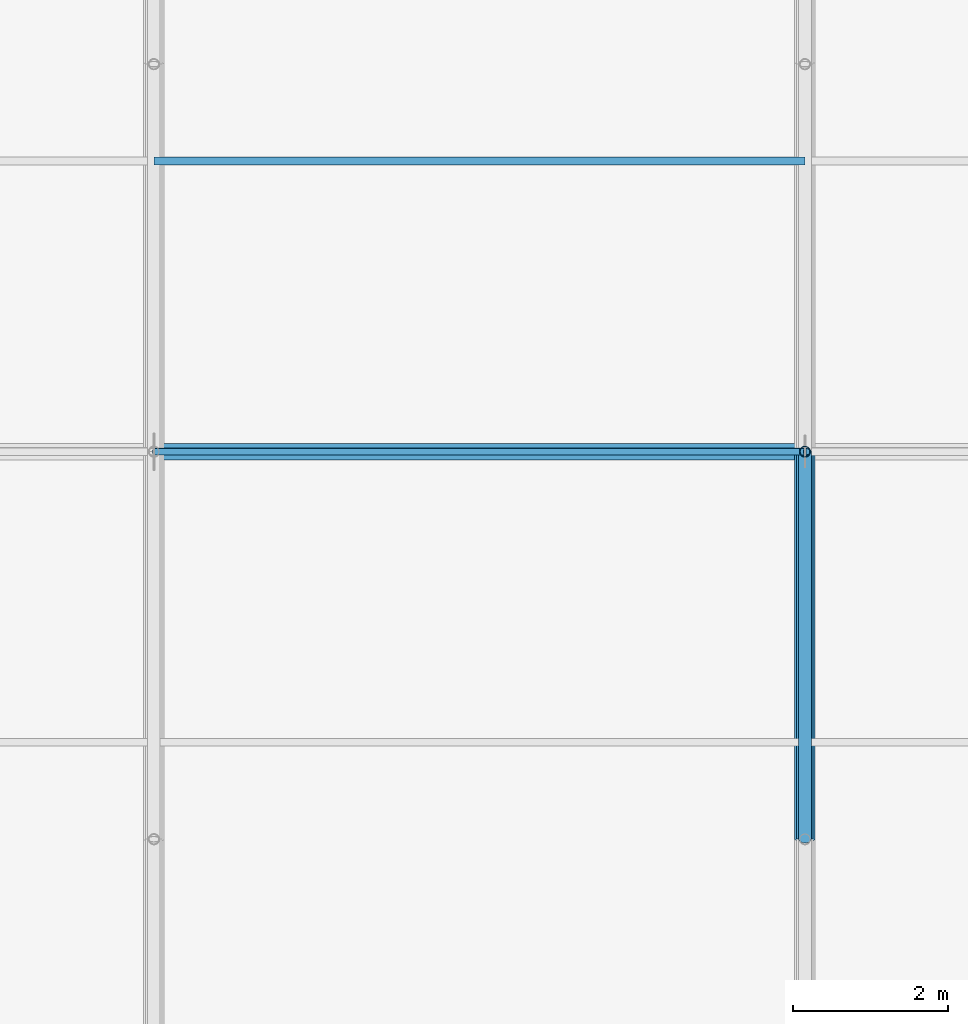
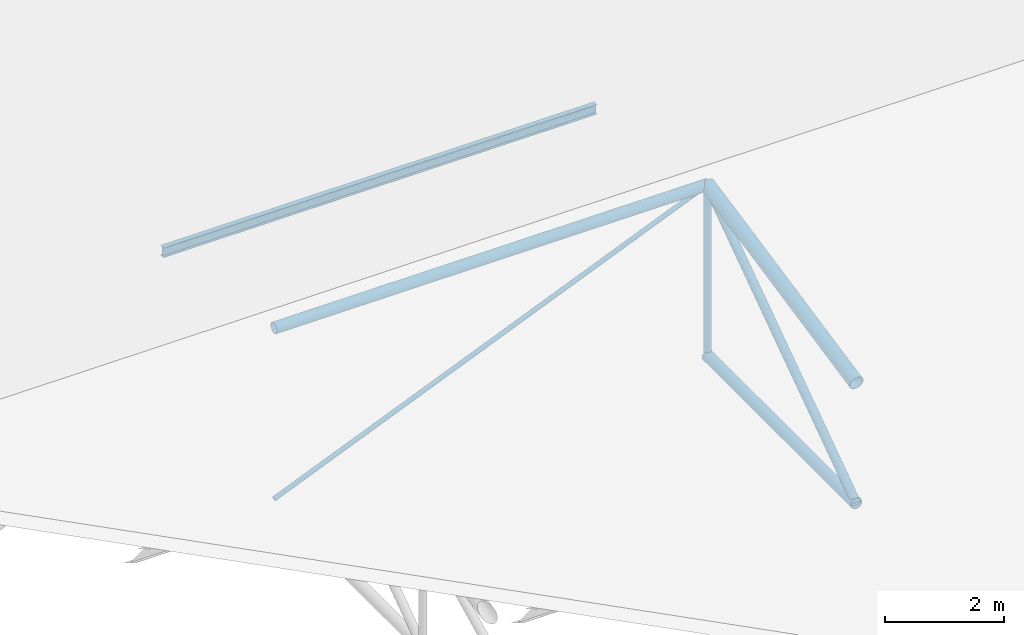
# One storey, part 59 of 194: 6 members, 1 beam.
"""IFC4 building model written with IfcOpenShell, lengths in metres."""

from ifc_helpers import new_model, si_unit, direction, frame, origin, origin_2d, place, context, subcontext, project, spatial, hollow_circle, i_section, extrude, material, material_profile, profile_set, type_object, element, save


model = new_model("IFC4")

# Units and contexts
model_context = context("Model", 3, precision=1e-05, world=origin(), true_north=direction((0.0, 1.0)))
body_context = subcontext(model_context, "Body", "Model", "MODEL_VIEW")
ifc_project = project(units=[si_unit("LENGTHUNIT", "METRE"), si_unit("AREAUNIT", "SQUARE_METRE"), si_unit("VOLUMEUNIT", "CUBIC_METRE"), si_unit("PLANEANGLEUNIT", "RADIAN"), si_unit("MASSUNIT", "GRAM", prefix="KILO")], contexts=[model_context])

# Site, building, storey
site_placement = place(None, origin())
site = spatial("IfcSite", under=ifc_project, at=site_placement, CompositionType="ELEMENT")
building_placement = place(site_placement, origin())
building = spatial("IfcBuilding", under=site, at=building_placement, Name="Kazenagashi Tramway Depot", CompositionType="ELEMENT")
storey_placement = place(building_placement, frame((0.0, 0.0, 23.7)))
storey = spatial("IfcBuildingStorey", under=building, at=storey_placement, Name="ROOF", CompositionType="ELEMENT", Elevation=23.7)

# Beam
ifc_material_1 = material(Name="Steel SN400B", Category="steel")
ifc_material_profile_1 = material_profile(ifc_material_1, i_section(OverallWidth=0.1, OverallDepth=0.2, WebThickness=0.0055, FlangeThickness=0.008, at=origin_2d()), Name="H-200x100x5.5x8")
ifc_profile_set_1 = profile_set([ifc_material_profile_1], Name="Steel SN400B")
beam_type = type_object("IfcBeamType", Name="PR-01", PredefinedType="USERDEFINED", material=ifc_profile_set_1)
beam_placement = place(storey_placement, frame((112.0, 118.75, -11.305), z_axis=(1.0, 0.0, 0.0), x_axis=(0.0, 1.0, 0.0)))
element("IfcBeam", 1, at=beam_placement, inside=storey, type_object=beam_type, Name="Beam PR-01 BM-2188", ObjectType="PURLIN", PredefinedType="USERDEFINED", context=body_context, shape_type="SweptSolid", body=[
    extrude(i_section(OverallWidth=0.1, OverallDepth=0.2, WebThickness=0.0055, FlangeThickness=0.008, at=origin_2d()), origin(), (0.0, 0.0, 1.0), 8.4),
])

# Members
ifc_material_2 = material(Name="Steel STK490", Category="steel")
ifc_material_profile_2 = material_profile(ifc_material_2, hollow_circle(Radius=0.1337, WallThickness=0.0093, at=origin_2d()), Name="CHS-267.4x9.3")
ifc_profile_set_2 = profile_set([ifc_material_profile_2], Name="Steel STK490")
member_type_1 = type_object("IfcMemberType", Name="TC-01", PredefinedType="CHORD", material=ifc_profile_set_2)
member_1_placement = place(storey_placement, frame((120.4, 110.0, -11.633), z_axis=(0.0, 0.979317999984, 0.202327098797), x_axis=(-1.0, 0.0, 0.0)))
element("IfcMember", 2, at=member_1_placement, inside=storey, type_object=member_type_1, Name="Tubular Space Frame TC-01 MEM-0587", PredefinedType="CHORD", context=body_context, shape_type="SweptSolid", body=[
    extrude(hollow_circle(Radius=0.1337, WallThickness=0.0093, at=origin_2d()), origin(), (0.0, 0.0, 1.0), 5.105594),
])
ifc_material_profile_3 = material_profile(ifc_material_2, hollow_circle(Radius=0.10815, WallThickness=0.0082, at=origin_2d()), Name="CHS-216.3x8.2")
ifc_profile_set_3 = profile_set([ifc_material_profile_3], Name="Steel STK490")
member_type_2 = type_object("IfcMemberType", Name="TC-02", PredefinedType="CHORD", material=ifc_profile_set_3)
member_2_placement = place(storey_placement, frame((112.0, 115.0, -10.6), z_axis=(1.0, 0.0, 0.0), x_axis=(0.0, 1.0, 0.0)))
element("IfcMember", 3, at=member_2_placement, inside=storey, type_object=member_type_2, Name="Tubular Space Frame TC-02 MEM-0546", PredefinedType="CHORD", context=body_context, shape_type="SweptSolid", body=[
    extrude(hollow_circle(Radius=0.10815, WallThickness=0.0082, at=origin_2d()), origin(), (0.0, 0.0, 1.0), 8.4),
])
member_3_placement = place(storey_placement, frame((120.4, 110.0, -14.1), z_axis=(0.0, 1.0, 0.0), x_axis=(-1.0, 0.0, 0.0)))
element("IfcMember", 4, at=member_3_placement, inside=storey, type_object=member_type_2, Name="Tubular Space Frame TC-02 MEM-0588", PredefinedType="CHORD", context=body_context, shape_type="SweptSolid", body=[
    extrude(hollow_circle(Radius=0.10815, WallThickness=0.0082, at=origin_2d()), origin(), (0.0, 0.0, 1.0), 5.0),
])
ifc_material_profile_4 = material_profile(ifc_material_2, hollow_circle(Radius=0.0826, WallThickness=0.0071, at=origin_2d()), Name="CHS-165.2x7.1")
ifc_profile_set_4 = profile_set([ifc_material_profile_4], Name="Steel STK490")
member_type_3 = type_object("IfcMemberType", Name="TS-01", PredefinedType="STRUT", material=ifc_profile_set_4)
member_4_placement = place(storey_placement, frame((120.4, 110.0, -14.1), z_axis=(0.0, 0.819231920519, 0.573462344363), x_axis=(-1.0, 0.0, 0.0)))
element("IfcMember", 5, at=member_4_placement, inside=storey, type_object=member_type_3, Name="Tubular Space Frame TS-01 MEM-0589", PredefinedType="STRUT", context=body_context, shape_type="SweptSolid", body=[
    extrude(hollow_circle(Radius=0.0826, WallThickness=0.0071, at=origin_2d()), origin(), (0.0, 0.0, 1.0), 6.103278),
])
ifc_material_profile_5 = material_profile(ifc_material_2, hollow_circle(Radius=0.0699, WallThickness=0.0066, at=origin_2d()), Name="CHS-139.8x6.6")
ifc_profile_set_5 = profile_set([ifc_material_profile_5], Name="Steel STK490")
member_type_4 = type_object("IfcMemberType", Name="TS-02", PredefinedType="STRUT", material=ifc_profile_set_5)
member_5_placement = place(storey_placement, frame((120.4, 115.0, -14.1), z_axis=(0.0, 0.0, 1.0), x_axis=(1.0, 0.0, 0.0)))
element("IfcMember", 6, at=member_5_placement, inside=storey, type_object=member_type_4, Name="Tubular Space Frame TS-02 MEM-0601", PredefinedType="STRUT", context=body_context, shape_type="SweptSolid", body=[
    extrude(hollow_circle(Radius=0.0699, WallThickness=0.0066, at=origin_2d()), origin(), (0.0, 0.0, 1.0), 3.5),
])
ifc_material_3 = material(Name="Steel STK400", Category="steel")
ifc_material_profile_6 = material_profile(ifc_material_3, hollow_circle(Radius=0.04455, WallThickness=0.0042, at=origin_2d()), Name="CHS-89.1x4.2")
ifc_profile_set_6 = profile_set([ifc_material_profile_6], Name="Steel STK400")
member_type_5 = type_object("IfcMemberType", Name="TS-04", PredefinedType="STRUT", material=ifc_profile_set_6)
member_6_placement = place(storey_placement, frame((112.0, 115.0, -14.1), z_axis=(0.923076923077, 0.0, 0.384615384615), x_axis=(0.0, 1.0, 0.0)))
element("IfcMember", 7, at=member_6_placement, inside=storey, type_object=member_type_5, Name="Tubular Space Frame TS-04 MEM-0547", PredefinedType="STRUT", context=body_context, shape_type="SweptSolid", body=[
    extrude(hollow_circle(Radius=0.04455, WallThickness=0.0042, at=origin_2d()), origin(), (0.0, 0.0, 1.0), 9.1),
])

save(model, "model.ifc")
